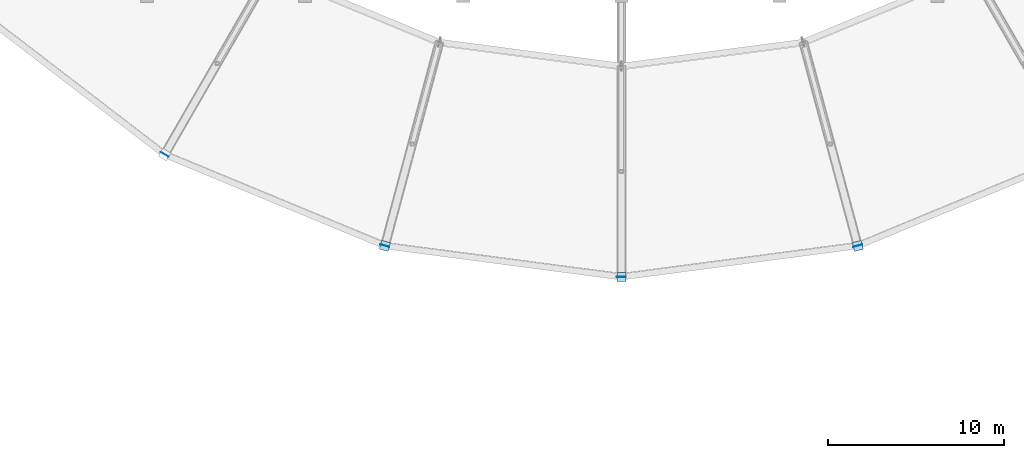
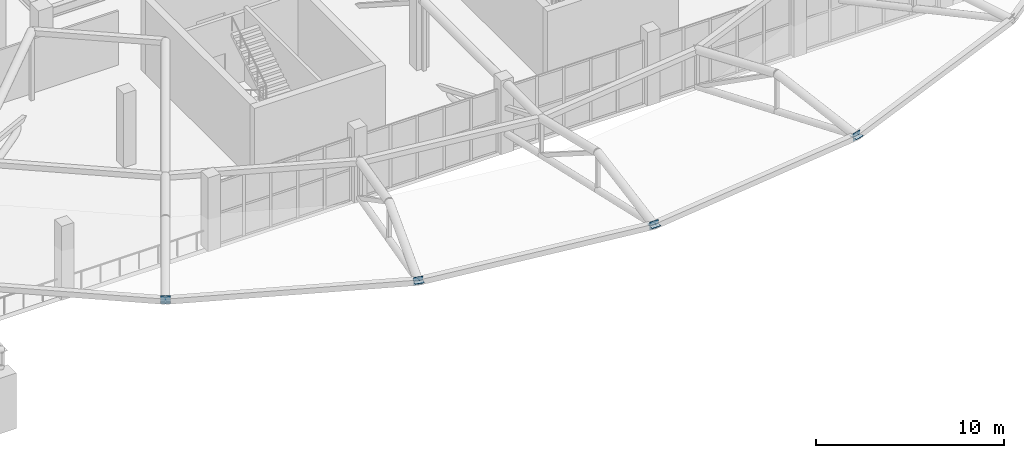
# One storey, part 125 of 167: 7 plates.
"""IFC4 building model written with IfcOpenShell, lengths in metres."""

from ifc_helpers import new_model, si_unit, direction, frame, origin, origin_2d, place, context, subcontext, project, spatial, rectangle, extrude, material, layer, layer_set, type_object, element, save


model = new_model("IFC4")

# Units and contexts
model_context = context("Model", 3, precision=1e-05, world=origin(), true_north=direction((0.0, 1.0)))
body_context = subcontext(model_context, "Body", "Model", "MODEL_VIEW")
ifc_project = project(units=[si_unit("LENGTHUNIT", "METRE"), si_unit("AREAUNIT", "SQUARE_METRE"), si_unit("VOLUMEUNIT", "CUBIC_METRE"), si_unit("PLANEANGLEUNIT", "RADIAN"), si_unit("MASSUNIT", "GRAM", prefix="KILO")], contexts=[model_context])

# Site, building, storey
site_placement = place(None, origin())
site = spatial("IfcSite", under=ifc_project, at=site_placement, CompositionType="ELEMENT")
building_placement = place(site_placement, origin())
building = spatial("IfcBuilding", under=site, at=building_placement, Name="Dornveld Trade and Exhibition Forum", CompositionType="ELEMENT")
storey_placement = place(building_placement, frame((0.0, 0.0, 16.800048828125)))
storey = spatial("IfcBuildingStorey", under=building, at=storey_placement, Name="L03", CompositionType="ELEMENT", Elevation=16.800048828125)

# Plates
ifc_material = material(Name="Steel S355J2", Category="steel")
ifc_layer = layer(ifc_material, 0.02001953125)
ifc_layer_set = layer_set([ifc_layer], Name="Steel S355J2")
plate_type = type_object("IfcPlateType", Name="PL-CAP-520x20", PredefinedType="SHEET", material=ifc_layer_set)
for number, where, z_axis, x_axis, name in (
    (1, (103.54150390625, 30.77197265625, 4.7900390625), (0.0, 0.0, 1.0), (-0.258819045103, -0.965925826289, 0.0), "Floating disc tip closure plate 18"),
    (2, (117.0, 29.0, 4.7900390625), (0.0, 0.0, 1.0), (0.0, -1.0, 0.0), "Floating disc tip closure plate 19"),
    (3, (130.45849609375, 30.77197265625, 4.7900390625), (0.0, 0.0, 1.0), (0.258819045103, -0.965925826289, 0.0), "Floating disc tip closure plate 20"),
):
    element("IfcPlate", number, at=place(storey_placement, frame(where, z_axis=z_axis, x_axis=x_axis)), inside=storey, type_object=plate_type, Name=name, PredefinedType="SHEET", context=body_context, shape_type="SweptSolid", body=[
        extrude(rectangle(XDim=0.52001953125, YDim=0.52001953125, at=origin_2d()), origin(), (0.0, 0.0, 1.0), 0.02001953125),
    ])
for number, where, z_axis, x_axis, name in (
    (4, (91.0048828125, 35.97509765625, 4.5400390625), (0.0, 0.0, 1.0), (-0.5, -0.866025403784, 0.0), "Floating roof disc radial tip cap plate 17"),
    (5, (103.5439453125, 30.781982421875, 4.5400390625), (0.0, 0.0, 1.0), (-0.258819045103, -0.965925826289, 0.0), "Floating roof disc radial tip cap plate 18"),
    (6, (117.0, 29.010009765625, 4.5400390625), (0.0, 0.0, 1.0), (0.0, -1.0, 0.0), "Floating roof disc radial tip cap plate 19"),
    (7, (130.4560546875, 30.781982421875, 4.5400390625), (0.0, 0.0, 1.0), (0.258819045103, -0.965925826289, 0.0), "Floating roof disc radial tip cap plate 20"),
):
    element("IfcPlate", number, at=place(storey_placement, frame(where, z_axis=z_axis, x_axis=x_axis)), inside=storey, type_object=plate_type, Name=name, PredefinedType="SHEET", context=body_context, shape_type="SweptSolid", body=[
        extrude(rectangle(XDim=0.02001953125, YDim=0.52001953125, at=origin_2d()), origin(), (0.0, 0.0, 1.0), 0.52001953125),
    ])

save(model, "model.ifc")
